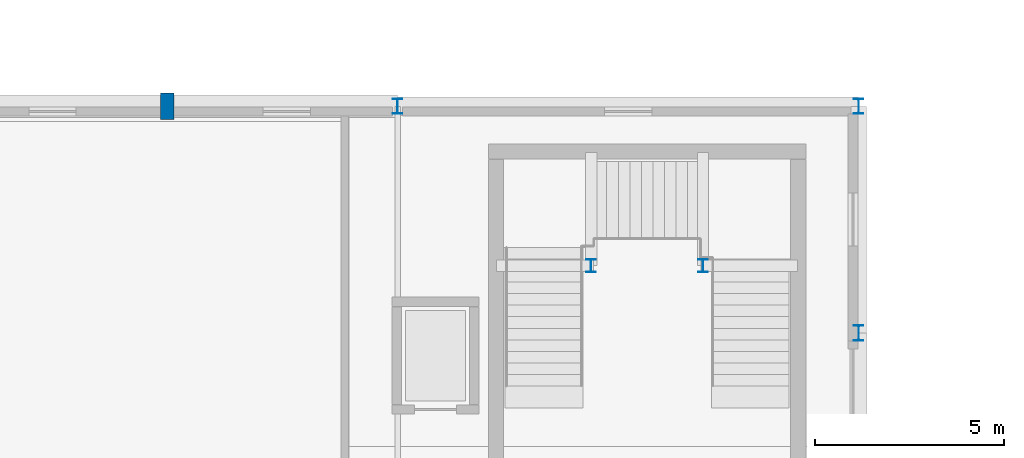
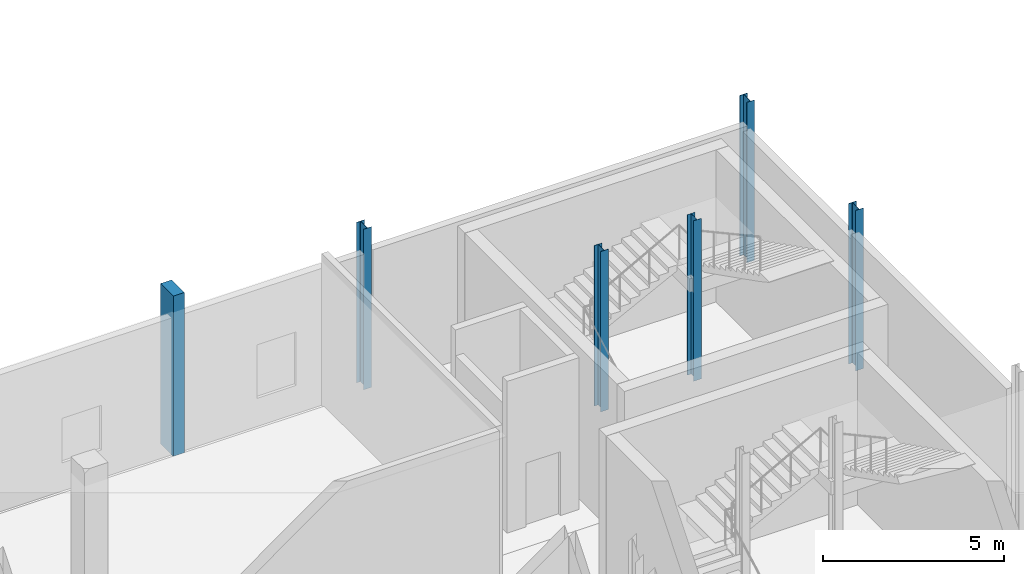
# One storey, part 15 of 57: 6 columns.
"""IFC4 building model written with IfcOpenShell, lengths in metres."""

from ifc_helpers import new_model, si_unit, derived_unit, direction, frame, origin, origin_2d, place, context, subcontext, project, spatial, rectangle, i_section, extrude, material, material_profile, profile_set, type_object, element, save


model = new_model("IFC4")

# Units and contexts
model_context = context("Model", 3, precision=1e-05, world=origin(), true_north=direction((0.0, 1.0)))
body_context = subcontext(model_context, "Body", "Model", "MODEL_VIEW")
ifc_project = project(units=[si_unit("LENGTHUNIT", "METRE"), si_unit("AREAUNIT", "SQUARE_METRE"), si_unit("VOLUMEUNIT", "CUBIC_METRE"), si_unit("PLANEANGLEUNIT", "RADIAN"), si_unit("MASSUNIT", "GRAM", prefix="KILO"), derived_unit("THERMALTRANSMITTANCEUNIT", [(si_unit("POWERUNIT", "WATT"), 1), (si_unit("LENGTHUNIT", "METRE"), -2), (si_unit("THERMODYNAMICTEMPERATUREUNIT", "KELVIN"), -1)])], contexts=[model_context])

# Site, building, storey
site_placement = place(None, origin())
site = spatial("IfcSite", under=ifc_project, at=site_placement, CompositionType="ELEMENT")
building_placement = place(site_placement, origin())
building = spatial("IfcBuilding", under=site, at=building_placement, Name="Nallur Shell Playhouse", CompositionType="ELEMENT")
storey_placement = place(building_placement, origin())
storey = spatial("IfcBuildingStorey", under=building, at=storey_placement, Name="L01", CompositionType="ELEMENT", Elevation=0.0)

# Columns
ifc_material_1 = material(Name="Concrete M40", Category="concrete")
ifc_material_profile_1 = material_profile(ifc_material_1, rectangle(XDim=0.35009765625, YDim=0.699951171875, at=origin_2d()), Name="RC 350x700")
ifc_profile_set_1 = profile_set([ifc_material_profile_1], Name="Concrete M40")
column_type_1 = type_object("IfcColumnType", Name="CL-PIL-350x700", PredefinedType="PILASTER", material=ifc_profile_set_1)
column_placement = place(storey_placement, frame((141.5, 56.0, 0.0), z_axis=(0.0, 0.0, 1.0), x_axis=(1.0, 0.0, 0.0)))
element("IfcColumn", 1, at=column_placement, inside=storey, type_object=column_type_1, Name="Wall pilaster PIL-05 (L01)", PredefinedType="PILASTER", context=body_context, shape_type="SweptSolid", body=[
    extrude(rectangle(XDim=0.35009765625, YDim=0.699951171875, at=origin_2d()), origin(), (0.0, 0.0, 1.0), 5.39990234375),
])
ifc_material_2 = material(Name="Steel E350", Category="steel")
ifc_material_profile_2 = material_profile(ifc_material_2, i_section(OverallWidth=0.25, OverallDepth=0.35009765625, WebThickness=0.010009765625, FlangeThickness=0.01171875, FilletRadius=0.011962890625, at=origin_2d()), Name="ISHB 350")
ifc_profile_set_2 = profile_set([ifc_material_profile_2], Name="Steel E350")
column_type_2 = type_object("IfcColumnType", Name="CL-ST-ISHB350", PredefinedType="COLUMN", material=ifc_profile_set_2)
for number, where, z_axis, x_axis, name in (
    (2, (152.719970703125, 51.780029296875, 0.0), (0.0, 0.0, 1.0), (1.0, 0.0, 0.0), "Column STW-JC-5-W (L01)"),
    (3, (155.679931640625, 51.780029296875, 0.0), (0.0, 0.0, 1.0), (1.0, 0.0, 0.0), "Column STW-JC-5-E (L01)"),
):
    element("IfcColumn", number, at=place(storey_placement, frame(where, z_axis=z_axis, x_axis=x_axis)), inside=storey, type_object=column_type_2, Name=name, PredefinedType="COLUMN", context=body_context, shape_type="SweptSolid", body=[
        extrude(i_section(OverallWidth=0.25, OverallDepth=0.35009765625, WebThickness=0.010009765625, FlangeThickness=0.01171875, FilletRadius=0.011962890625, at=origin_2d()), origin(), (0.0, 0.0, 1.0), 5.39990234375),
    ])
ifc_material_profile_3 = material_profile(ifc_material_2, i_section(OverallWidth=0.25, OverallDepth=0.39990234375, WebThickness=0.010498046875, FlangeThickness=0.0126953125, FilletRadius=0.013916015625, at=origin_2d()), Name="ISHB 400")
ifc_profile_set_3 = profile_set([ifc_material_profile_3], Name="Steel E350")
column_type_3 = type_object("IfcColumnType", Name="CL-ST-ISHB400", PredefinedType="COLUMN", material=ifc_profile_set_3)
for number, where, z_axis, x_axis, name in (
    (4, (147.60009765625, 56.0, 0.0), (0.0, 0.0, 1.0), (1.0, 0.0, 0.0), "Column 18-G (L01)"),
    (5, (159.800048828125, 50.0, 0.0), (0.0, 0.0, 1.0), (1.0, 0.0, 0.0), "Column 19-F (L01)"),
    (6, (159.800048828125, 56.0, 0.0), (0.0, 0.0, 1.0), (1.0, 0.0, 0.0), "Column 19-G (L01)"),
):
    element("IfcColumn", number, at=place(storey_placement, frame(where, z_axis=z_axis, x_axis=x_axis)), inside=storey, type_object=column_type_3, Name=name, PredefinedType="COLUMN", context=body_context, shape_type="SweptSolid", body=[
        extrude(i_section(OverallWidth=0.25, OverallDepth=0.39990234375, WebThickness=0.010498046875, FlangeThickness=0.0126953125, FilletRadius=0.013916015625, at=origin_2d()), origin(), (0.0, 0.0, 1.0), 5.39990234375),
    ])

save(model, "model.ifc")
